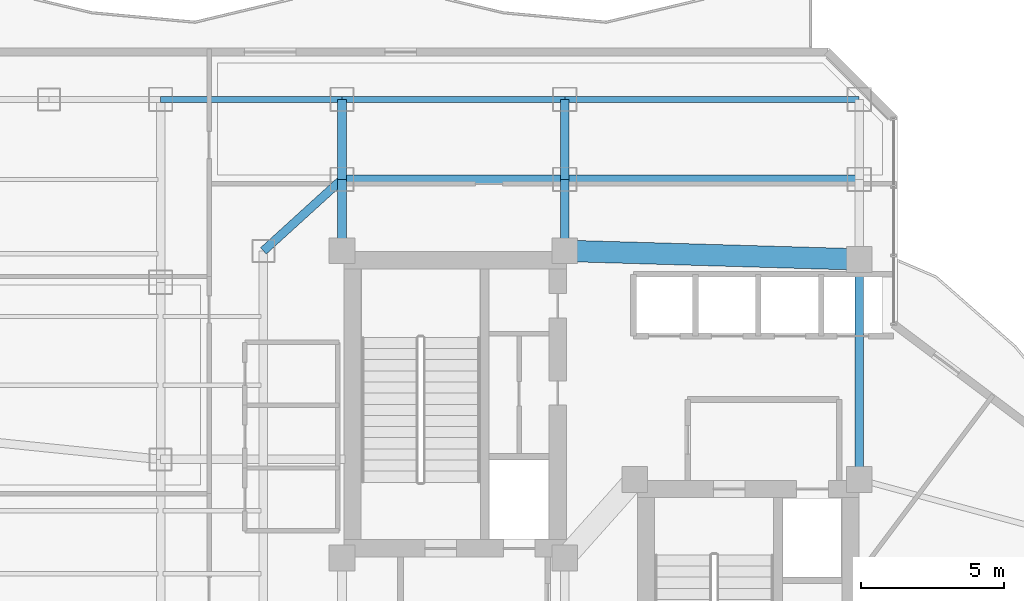
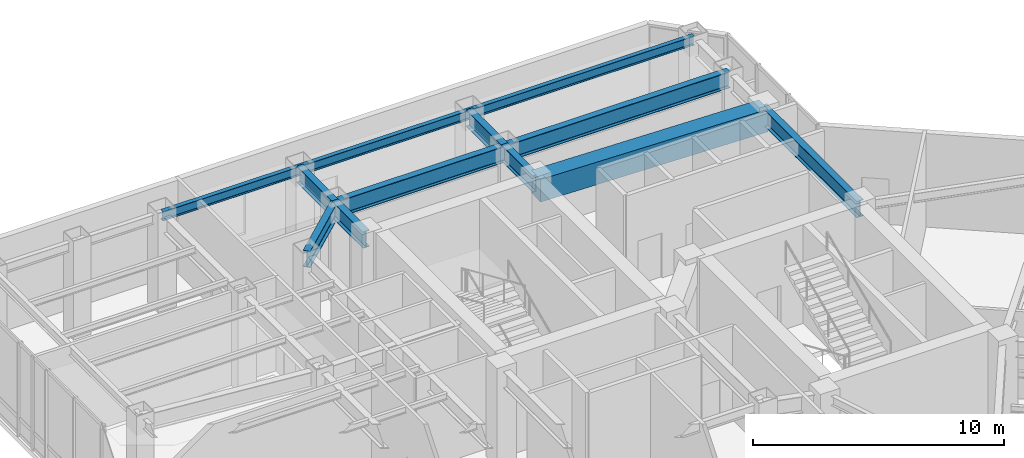
# One storey, part 19 of 30: 12 beams.
"""IFC4 building model written with IfcOpenShell, lengths in metres."""

from ifc_helpers import new_model, si_unit, direction, frame, origin, origin_2d, place, context, subcontext, project, spatial, rectangle, i_section, extrude, material, material_profile, profile_set, type_object, element, save


model = new_model("IFC4")

# Units and contexts
model_context = context("Model", 3, precision=1e-05, world=origin(), true_north=direction((0.0, 1.0)))
body_context = subcontext(model_context, "Body", "Model", "MODEL_VIEW")
ifc_project = project(units=[si_unit("LENGTHUNIT", "METRE"), si_unit("AREAUNIT", "SQUARE_METRE"), si_unit("VOLUMEUNIT", "CUBIC_METRE"), si_unit("PLANEANGLEUNIT", "RADIAN"), si_unit("MASSUNIT", "GRAM", prefix="KILO")], contexts=[model_context])

# Site, building, storey
site_placement = place(None, origin())
site = spatial("IfcSite", under=ifc_project, at=site_placement, CompositionType="ELEMENT")
building_placement = place(site_placement, origin())
building = spatial("IfcBuilding", under=site, at=building_placement, Name="Hatsunagi Terrace Concourse", CompositionType="ELEMENT")
storey_placement = place(building_placement, frame((0.0, 0.0, 130.050048828125)))
storey = spatial("IfcBuildingStorey", under=building, at=storey_placement, Name="L34", CompositionType="ELEMENT", Elevation=130.050048828125)

# Beams
ifc_material_1 = material(Name="Concrete Fc48", Category="concrete")
ifc_material_profile_1 = material_profile(ifc_material_1, rectangle(XDim=0.75, YDim=1.10009765625, at=origin_2d()), Name="RC-750x1100")
ifc_profile_set_1 = profile_set([ifc_material_profile_1], Name="Concrete Fc48")
beam_type_1 = type_object("IfcBeamType", Name="CoreCouplingBeam_RC_750x1100", PredefinedType="BEAM", material=ifc_profile_set_1)
beam_1_placement = place(storey_placement, frame((33.35009765625, 43.300048828125, 4.0), z_axis=(0.999575947545, -0.029119153303, 0.0), x_axis=(0.029119153303, 0.999575947545, 0.0)))
element("IfcBeam", 1, at=beam_1_placement, inside=storey, type_object=beam_type_1, Name="Beam CB-02 CB-L34-2", PredefinedType="BEAM", context=body_context, shape_type="SweptSolid", body=[
    extrude(rectangle(XDim=0.75, YDim=1.10009765625, at=origin_2d()), origin(), (0.0, 0.0, 1.0), 10.30419921875),
])
ifc_material_2 = material(Name="Steel SN490B", Category="steel")
ifc_material_profile_2 = material_profile(ifc_material_2, i_section(OverallWidth=0.199951171875, OverallDepth=0.449951171875, WebThickness=0.009033203125, FlangeThickness=0.013916015625, FilletRadius=0.01611328125, at=origin_2d()), Name="H-450x200x9x14")
ifc_profile_set_2 = profile_set([ifc_material_profile_2], Name="Steel SN490B")
beam_type_2 = type_object("IfcBeamType", Name="PerimeterSpandrel_H_450x200", PredefinedType="SPANDREL", material=ifc_profile_set_2)
beam_2_placement = place(storey_placement, frame((19.199951171875, 48.60009765625, 4.324951171875), z_axis=(1.0, 0.0, 0.0), x_axis=(0.0, 1.0, 0.0)))
element("IfcBeam", 2, at=beam_2_placement, inside=storey, type_object=beam_type_2, Name="Beam SP-02 BM-L34-WN-19", PredefinedType="SPANDREL", context=body_context, shape_type="SweptSolid", body=[
    extrude(i_section(OverallWidth=0.199951171875, OverallDepth=0.449951171875, WebThickness=0.009033203125, FlangeThickness=0.013916015625, FilletRadius=0.01611328125, at=origin_2d()), origin(), (0.0, 0.0, 1.0), 6.35009765625),
])
beam_3_placement = place(storey_placement, frame((25.550048828125, 48.60009765625, 4.324951171875), z_axis=(1.0, 0.0, 0.0), x_axis=(0.0, 1.0, 0.0)))
element("IfcBeam", 3, at=beam_3_placement, inside=storey, type_object=beam_type_2, Name="Beam SP-02 BM-L34-WN-25", PredefinedType="SPANDREL", context=body_context, shape_type="SweptSolid", body=[
    extrude(i_section(OverallWidth=0.199951171875, OverallDepth=0.449951171875, WebThickness=0.009033203125, FlangeThickness=0.013916015625, FilletRadius=0.01611328125, at=origin_2d()), origin(), (0.0, 0.0, 1.0), 7.800048828125),
])
beam_4_placement = place(storey_placement, frame((33.35009765625, 48.60009765625, 4.324951171875), z_axis=(1.0, 0.0, 0.0), x_axis=(0.0, 1.0, 0.0)))
element("IfcBeam", 4, at=beam_4_placement, inside=storey, type_object=beam_type_2, Name="Beam SP-02 BM-L34-WN-33", PredefinedType="SPANDREL", context=body_context, shape_type="SweptSolid", body=[
    extrude(i_section(OverallWidth=0.199951171875, OverallDepth=0.449951171875, WebThickness=0.009033203125, FlangeThickness=0.013916015625, FilletRadius=0.01611328125, at=origin_2d()), origin(), (0.0, 0.0, 1.0), 10.2998046875),
])
ifc_material_3 = material(Name="Steel SN490B", Category="steel")
ifc_material_profile_3 = material_profile(ifc_material_3, i_section(OverallWidth=0.300048828125, OverallDepth=0.800048828125, WebThickness=0.013916015625, FlangeThickness=0.02587890625, FilletRadius=0.02197265625, at=origin_2d()), Name="H-800x300x14x26")
ifc_profile_set_3 = profile_set([ifc_material_profile_3], Name="Steel SN490B")
beam_type_3 = type_object("IfcBeamType", Name="SkyLobbyGirder_H_800x300", PredefinedType="BEAM", material=ifc_profile_set_3)
beam_5_placement = place(storey_placement, frame((43.64990234375, 35.300048828125, 4.14990234375), z_axis=(0.0, 1.0, 0.0), x_axis=(-1.0, 0.0, 0.0)))
element("IfcBeam", 5, at=beam_5_placement, inside=storey, type_object=beam_type_3, Name="Beam G-03 BM-L34-CBK3", PredefinedType="BEAM", context=body_context, shape_type="SweptSolid", body=[
    extrude(i_section(OverallWidth=0.300048828125, OverallDepth=0.800048828125, WebThickness=0.013916015625, FlangeThickness=0.02587890625, FilletRadius=0.02197265625, at=origin_2d()), origin(), (0.0, 0.0, 1.0), 7.699951171875),
])
for number, where, z_axis, x_axis, name in (
    (6, (25.550048828125, 43.300048828125, 4.14990234375), (0.0, 1.0, 0.0), (-1.0, 0.0, 0.0), "Beam G-03 BM-L34-CN1"),
    (7, (33.35009765625, 43.300048828125, 4.14990234375), (0.0, 1.0, 0.0), (-1.0, 0.0, 0.0), "Beam G-03 BM-L34-CN2"),
):
    element("IfcBeam", number, at=place(storey_placement, frame(where, z_axis=z_axis, x_axis=x_axis)), inside=storey, type_object=beam_type_3, Name=name, PredefinedType="BEAM", context=body_context, shape_type="SweptSolid", body=[
        extrude(i_section(OverallWidth=0.300048828125, OverallDepth=0.800048828125, WebThickness=0.013916015625, FlangeThickness=0.02587890625, FilletRadius=0.02197265625, at=origin_2d()), origin(), (0.0, 0.0, 1.0), 2.5),
    ])
beam_6_placement = place(storey_placement, frame((25.550048828125, 45.800048828125, 4.14990234375), z_axis=(1.0, 0.0, 0.0), x_axis=(0.0, 1.0, 0.0)))
element("IfcBeam", 8, at=beam_6_placement, inside=storey, type_object=beam_type_3, Name="Beam G-03 BM-L34-CNEW1", PredefinedType="BEAM", context=body_context, shape_type="SweptSolid", body=[
    extrude(i_section(OverallWidth=0.300048828125, OverallDepth=0.800048828125, WebThickness=0.013916015625, FlangeThickness=0.02587890625, FilletRadius=0.02197265625, at=origin_2d()), origin(), (0.0, 0.0, 1.0), 7.800048828125),
])
beam_7_placement = place(storey_placement, frame((33.35009765625, 45.800048828125, 4.14990234375), z_axis=(1.0, 0.0, 0.0), x_axis=(0.0, 1.0, 0.0)))
element("IfcBeam", 9, at=beam_7_placement, inside=storey, type_object=beam_type_3, Name="Beam G-03 BM-L34-CNEW2", PredefinedType="BEAM", context=body_context, shape_type="SweptSolid", body=[
    extrude(i_section(OverallWidth=0.300048828125, OverallDepth=0.800048828125, WebThickness=0.013916015625, FlangeThickness=0.02587890625, FilletRadius=0.02197265625, at=origin_2d()), origin(), (0.0, 0.0, 1.0), 10.2998046875),
])
for number, where, z_axis, x_axis, name in (
    (10, (25.550048828125, 45.800048828125, 4.14990234375), (0.0, 1.0, 0.0), (-1.0, 0.0, 0.0), "Beam G-03 BM-L34-KN-WN4"),
    (11, (33.35009765625, 45.800048828125, 4.14990234375), (0.0, 1.0, 0.0), (-1.0, 0.0, 0.0), "Beam G-03 BM-L34-KN-WN5"),
):
    element("IfcBeam", number, at=place(storey_placement, frame(where, z_axis=z_axis, x_axis=x_axis)), inside=storey, type_object=beam_type_3, Name=name, PredefinedType="BEAM", context=body_context, shape_type="SweptSolid", body=[
        extrude(i_section(OverallWidth=0.300048828125, OverallDepth=0.800048828125, WebThickness=0.013916015625, FlangeThickness=0.02587890625, FilletRadius=0.02197265625, at=origin_2d()), origin(), (0.0, 0.0, 1.0), 2.800048828125),
    ])
beam_8_placement = place(storey_placement, frame((22.800048828125, 43.300048828125, 4.14990234375), z_axis=(0.739940073396, 0.672672793996, 0.0), x_axis=(-0.672672793996, 0.739940073396, 0.0)))
element("IfcBeam", 12, at=beam_8_placement, inside=storey, type_object=beam_type_3, Name="Beam G-03 BM-L34-CWEW-N", PredefinedType="BEAM", context=body_context, shape_type="SweptSolid", body=[
    extrude(i_section(OverallWidth=0.300048828125, OverallDepth=0.800048828125, WebThickness=0.013916015625, FlangeThickness=0.02587890625, FilletRadius=0.02197265625, at=origin_2d()), origin(), (0.0, 0.0, 1.0), 3.716552734375),
])

save(model, "model.ifc")
